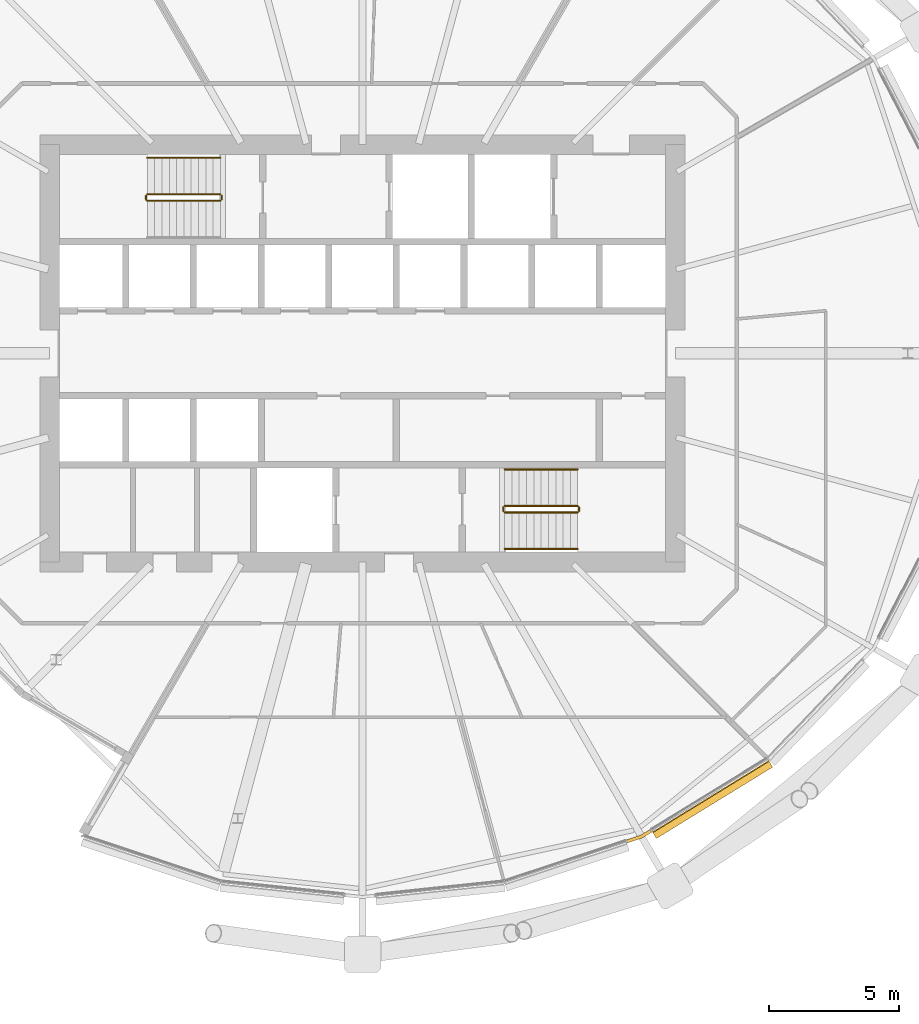
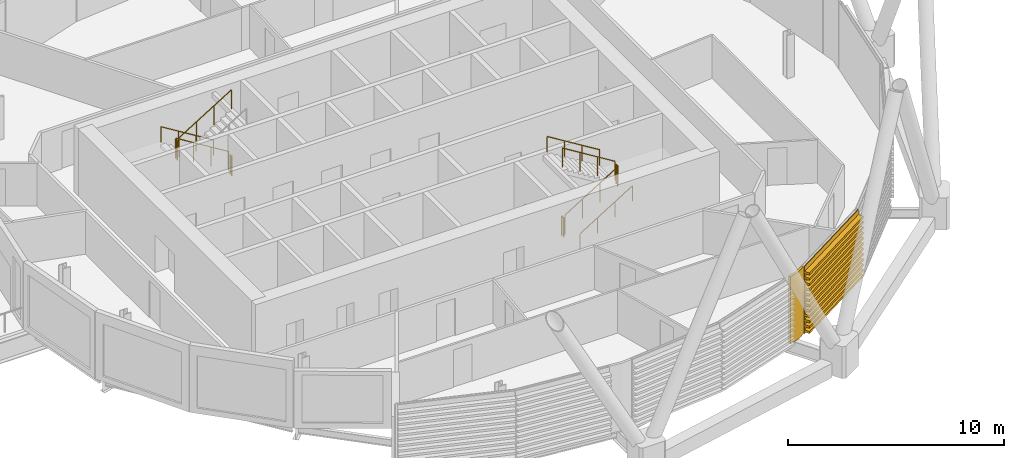
# One storey, part 33 of 38: 11 railings, 2 coverings.
"""IFC4 building model written with IfcOpenShell, lengths in metres."""

from ifc_helpers import new_model, si_unit, direction, frame, origin, origin_2d, place, context, subcontext, project, spatial, polyline, circle, outline, extrude, material, layer, layer_set, material_profile, profile_set, type_object, element, save


model = new_model("IFC4")

# Units and contexts
model_context = context("Model", 3, precision=1e-05, world=origin(), true_north=direction((0.0, 1.0)))
body_context = subcontext(model_context, "Body", "Model", "MODEL_VIEW")
ifc_project = project(units=[si_unit("LENGTHUNIT", "METRE"), si_unit("AREAUNIT", "SQUARE_METRE"), si_unit("VOLUMEUNIT", "CUBIC_METRE"), si_unit("PLANEANGLEUNIT", "RADIAN"), si_unit("MASSUNIT", "GRAM", prefix="KILO")], contexts=[model_context])

# Site, building, storey
site_placement = place(None, origin())
site = spatial("IfcSite", under=ifc_project, at=site_placement, CompositionType="ELEMENT")
building_placement = place(site_placement, origin())
building = spatial("IfcBuilding", under=site, at=building_placement, Name="Rimbun Link Towers", CompositionType="ELEMENT")
storey_placement = place(building_placement, frame((0.0, 0.0, 104.39990234375)))
storey = spatial("IfcBuildingStorey", under=building, at=storey_placement, Name="L25", CompositionType="ELEMENT", Elevation=104.39990234375)

# Covering
ifc_material_1 = material(Name="Terracotta", Category="masonry")
ifc_layer = layer(ifc_material_1, 0.1201171875)
ifc_layer_set = layer_set([ifc_layer], Name="LINK PIER terracotta cladding 120")
covering_type_1 = type_object("IfcCoveringType", Name="LINK PIER terracotta cladding 120", PredefinedType="CLADDING", material=ifc_layer_set)
covering_1_placement = place(storey_placement, origin())
element("IfcCovering", 1, at=covering_1_placement, inside=storey, type_object=covering_type_1, Name="LINK PIER cladding", PredefinedType="CLADDING", context=body_context, shape_type="SweptSolid", body=[
    extrude(outline(polyline([(-20.72412109375, -18.2578125), (-21.08203125, -18.4775390625), (-21.623046875, -18.65673828125), (-21.585205078125, -18.770751953125), (-21.031005859375, -18.5869140625), (-20.661376953125, -18.360107421875), (-20.72412109375, -18.2578125)])), origin(), (0.0, 0.0, 1.0), 3.800048828125),
])

# Railings
ifc_material_2 = material(Name="Stainless steel grade 316", Category="steel")
railing_type_1 = type_object("IfcRailingType", Name="Stair guard", PredefinedType="GUARDRAIL", material=ifc_material_2)
railing_1_placement = place(storey_placement, frame((-37.199951171875, 6.10009765625, 0.1728515625)))
element("IfcRailing", 2, at=railing_1_placement, inside=storey, type_object=railing_type_1, Name="L25 ST1 stair guard 1", PredefinedType="GUARDRAIL", context=body_context, shape_type="SweptSolid", body=[
    extrude(circle(Radius=0.02392578125, at=origin_2d()), frame((0.0, 0.0, 1.076171875), z_axis=(-0.851089632645, 0.0, 0.525020415988), x_axis=(0.0, -1.0, 0.0)), (0.0, 0.0, 1.0), 3.2900390625),
    extrude(circle(Radius=0.02099609375, at=origin_2d()), origin(), (0.0, 0.0, 1.0), 1.052001953125),
    extrude(circle(Radius=0.02099609375, at=origin_2d()), frame((-0.933349609375, 0.0, 0.57568359375)), (0.0, 0.0, 1.0), 1.052001953125),
    extrude(circle(Radius=0.02099609375, at=origin_2d()), frame((-1.86669921875, 0.0, 1.151611328125)), (0.0, 0.0, 1.0), 1.052001953125),
    extrude(circle(Radius=0.02099609375, at=origin_2d()), frame((-2.800048828125, 0.0, 1.727294921875)), (0.0, 0.0, 1.0), 1.052001953125),
])
railing_2_placement = place(storey_placement, frame((-40.050048828125, 6.050048828125, 1.900146484375)))
element("IfcRailing", 3, at=railing_2_placement, inside=storey, type_object=railing_type_1, Name="L25 ST1 stair guard 2", PredefinedType="GUARDRAIL", context=body_context, shape_type="SweptSolid", body=[
    extrude(circle(Radius=0.02392578125, at=origin_2d()), frame((0.0, 0.0, 1.076171875), z_axis=(0.0, -1.0, 0.0), x_axis=(1.0, 0.0, 0.0)), (0.0, 0.0, 1.0), 0.150146484375),
    extrude(circle(Radius=0.02099609375, at=origin_2d()), origin(), (0.0, 0.0, 1.0), 1.052001953125),
    extrude(circle(Radius=0.02099609375, at=origin_2d()), frame((0.0, -0.150146484375, 0.0)), (0.0, 0.0, 1.0), 1.052001953125),
])
railing_3_placement = place(storey_placement, frame((-40.0, 5.85009765625, 2.07275390625)))
element("IfcRailing", 4, at=railing_3_placement, inside=storey, type_object=railing_type_1, Name="L25 ST1 stair guard 3", PredefinedType="GUARDRAIL", context=body_context, shape_type="SweptSolid", body=[
    extrude(circle(Radius=0.02392578125, at=origin_2d()), frame((0.0, 0.0, 1.076171875), z_axis=(0.851089632645, 0.0, 0.525020415988), x_axis=(0.0, 1.0, 0.0)), (0.0, 0.0, 1.0), 3.2900390625),
    extrude(circle(Radius=0.02099609375, at=origin_2d()), origin(), (0.0, 0.0, 1.0), 1.052001953125),
    extrude(circle(Radius=0.02099609375, at=origin_2d()), frame((0.933349609375, 0.0, 0.57568359375)), (0.0, 0.0, 1.0), 1.052001953125),
    extrude(circle(Radius=0.02099609375, at=origin_2d()), frame((1.86669921875, 0.0, 1.151611328125)), (0.0, 0.0, 1.0), 1.052001953125),
    extrude(circle(Radius=0.02099609375, at=origin_2d()), frame((2.800048828125, 0.0, 1.727294921875)), (0.0, 0.0, 1.0), 1.052001953125),
])
railing_4_placement = place(storey_placement, frame((-37.14990234375, 6.050048828125, 0.0)))
element("IfcRailing", 5, at=railing_4_placement, inside=storey, type_object=railing_type_1, Name="L25 ST1 stair guard 4", PredefinedType="GUARDRAIL", context=body_context, shape_type="SweptSolid", body=[
    extrude(circle(Radius=0.02392578125, at=origin_2d()), frame((0.0, 0.0, 1.076171875), z_axis=(0.0, -1.0, 0.0), x_axis=(1.0, 0.0, 0.0)), (0.0, 0.0, 1.0), 0.150146484375),
    extrude(circle(Radius=0.02099609375, at=origin_2d()), origin(), (0.0, 0.0, 1.0), 1.052001953125),
    extrude(circle(Radius=0.02099609375, at=origin_2d()), frame((0.0, -0.150146484375, 0.0)), (0.0, 0.0, 1.0), 1.052001953125),
])
railing_5_placement = place(storey_placement, frame((-26.300048828125, -6.10009765625, 0.1728515625)))
element("IfcRailing", 6, at=railing_5_placement, inside=storey, type_object=railing_type_1, Name="L25 ST2 stair guard 1", PredefinedType="GUARDRAIL", context=body_context, shape_type="SweptSolid", body=[
    extrude(circle(Radius=0.02392578125, at=origin_2d()), frame((0.0, 0.0, 1.076171875), z_axis=(0.851089632645, 0.0, 0.525020415988), x_axis=(0.0, 1.0, 0.0)), (0.0, 0.0, 1.0), 3.2900390625),
    extrude(circle(Radius=0.02099609375, at=origin_2d()), origin(), (0.0, 0.0, 1.0), 1.052001953125),
    extrude(circle(Radius=0.02099609375, at=origin_2d()), frame((0.933349609375, 0.0, 0.57568359375)), (0.0, 0.0, 1.0), 1.052001953125),
    extrude(circle(Radius=0.02099609375, at=origin_2d()), frame((1.86669921875, 0.0, 1.151611328125)), (0.0, 0.0, 1.0), 1.052001953125),
    extrude(circle(Radius=0.02099609375, at=origin_2d()), frame((2.800048828125, 0.0, 1.727294921875)), (0.0, 0.0, 1.0), 1.052001953125),
])
railing_6_placement = place(storey_placement, frame((-23.449951171875, -6.050048828125, 1.900146484375)))
element("IfcRailing", 7, at=railing_6_placement, inside=storey, type_object=railing_type_1, Name="L25 ST2 stair guard 2", PredefinedType="GUARDRAIL", context=body_context, shape_type="SweptSolid", body=[
    extrude(circle(Radius=0.02392578125, at=origin_2d()), frame((0.0, 0.0, 1.076171875), z_axis=(0.0, 1.0, 0.0), x_axis=(-1.0, 0.0, 0.0)), (0.0, 0.0, 1.0), 0.150146484375),
    extrude(circle(Radius=0.02099609375, at=origin_2d()), origin(), (0.0, 0.0, 1.0), 1.052001953125),
    extrude(circle(Radius=0.02099609375, at=origin_2d()), frame((0.0, 0.150146484375, 0.0)), (0.0, 0.0, 1.0), 1.052001953125),
])
railing_7_placement = place(storey_placement, frame((-23.5, -5.85009765625, 2.07275390625)))
element("IfcRailing", 8, at=railing_7_placement, inside=storey, type_object=railing_type_1, Name="L25 ST2 stair guard 3", PredefinedType="GUARDRAIL", context=body_context, shape_type="SweptSolid", body=[
    extrude(circle(Radius=0.02392578125, at=origin_2d()), frame((0.0, 0.0, 1.076171875), z_axis=(-0.851089632645, 0.0, 0.525020415988), x_axis=(0.0, -1.0, 0.0)), (0.0, 0.0, 1.0), 3.2900390625),
    extrude(circle(Radius=0.02099609375, at=origin_2d()), origin(), (0.0, 0.0, 1.0), 1.052001953125),
    extrude(circle(Radius=0.02099609375, at=origin_2d()), frame((-0.933349609375, 0.0, 0.57568359375)), (0.0, 0.0, 1.0), 1.052001953125),
    extrude(circle(Radius=0.02099609375, at=origin_2d()), frame((-1.86669921875, 0.0, 1.151611328125)), (0.0, 0.0, 1.0), 1.052001953125),
    extrude(circle(Radius=0.02099609375, at=origin_2d()), frame((-2.800048828125, 0.0, 1.727294921875)), (0.0, 0.0, 1.0), 1.052001953125),
])
railing_8_placement = place(storey_placement, frame((-26.35009765625, -6.050048828125, 0.0)))
element("IfcRailing", 9, at=railing_8_placement, inside=storey, type_object=railing_type_1, Name="L25 ST2 stair guard 4", PredefinedType="GUARDRAIL", context=body_context, shape_type="SweptSolid", body=[
    extrude(circle(Radius=0.02392578125, at=origin_2d()), frame((0.0, 0.0, 1.076171875), z_axis=(0.0, 1.0, 0.0), x_axis=(-1.0, 0.0, 0.0)), (0.0, 0.0, 1.0), 0.150146484375),
    extrude(circle(Radius=0.02099609375, at=origin_2d()), origin(), (0.0, 0.0, 1.0), 1.052001953125),
    extrude(circle(Radius=0.02099609375, at=origin_2d()), frame((0.0, 0.150146484375, 0.0)), (0.0, 0.0, 1.0), 1.052001953125),
])
ifc_material_3 = material(Name="Stainless steel grade 316", Category="steel")
railing_type_2 = type_object("IfcRailingType", Name="Stair handrail", PredefinedType="HANDRAIL", material=ifc_material_3)
railing_9_placement = place(storey_placement, frame((-37.199951171875, 7.5, 0.1728515625)))
element("IfcRailing", 10, at=railing_9_placement, inside=storey, type_object=railing_type_2, Name="L25 ST1 stair handrail 1", PredefinedType="HANDRAIL", context=body_context, shape_type="SweptSolid", body=[
    extrude(circle(Radius=0.02392578125, at=origin_2d()), frame((0.0, 0.0, 0.8759765625), z_axis=(-0.851089632645, 0.0, 0.525020415988), x_axis=(0.0, -1.0, 0.0)), (0.0, 0.0, 1.0), 3.2900390625),
    extrude(circle(Radius=0.02099609375, at=origin_2d()), origin(), (0.0, 0.0, 1.0), 0.851806640625),
    extrude(circle(Radius=0.02099609375, at=origin_2d()), frame((-0.933349609375, 0.0, 0.57568359375)), (0.0, 0.0, 1.0), 0.851806640625),
    extrude(circle(Radius=0.02099609375, at=origin_2d()), frame((-1.86669921875, 0.0, 1.151611328125)), (0.0, 0.0, 1.0), 0.851806640625),
    extrude(circle(Radius=0.02099609375, at=origin_2d()), frame((-2.800048828125, 0.0, 1.727294921875)), (0.0, 0.0, 1.0), 0.851806640625),
])
railing_10_placement = place(storey_placement, frame((-26.300048828125, -7.5, 0.1728515625)))
element("IfcRailing", 11, at=railing_10_placement, inside=storey, type_object=railing_type_2, Name="L25 ST2 stair handrail 1", PredefinedType="HANDRAIL", context=body_context, shape_type="SweptSolid", body=[
    extrude(circle(Radius=0.02392578125, at=origin_2d()), frame((0.0, 0.0, 0.8759765625), z_axis=(0.851089632645, 0.0, 0.525020415988), x_axis=(0.0, 1.0, 0.0)), (0.0, 0.0, 1.0), 3.2900390625),
    extrude(circle(Radius=0.02099609375, at=origin_2d()), origin(), (0.0, 0.0, 1.0), 0.851806640625),
    extrude(circle(Radius=0.02099609375, at=origin_2d()), frame((0.933349609375, 0.0, 0.57568359375)), (0.0, 0.0, 1.0), 0.851806640625),
    extrude(circle(Radius=0.02099609375, at=origin_2d()), frame((1.86669921875, 0.0, 1.151611328125)), (0.0, 0.0, 1.0), 0.851806640625),
    extrude(circle(Radius=0.02099609375, at=origin_2d()), frame((2.800048828125, 0.0, 1.727294921875)), (0.0, 0.0, 1.0), 0.851806640625),
])
railing_11_placement = place(storey_placement, frame((-23.5, -4.449951171875, 2.07275390625)))
element("IfcRailing", 12, at=railing_11_placement, inside=storey, type_object=railing_type_2, Name="L25 ST2 stair handrail 2", PredefinedType="HANDRAIL", context=body_context, shape_type="SweptSolid", body=[
    extrude(circle(Radius=0.02392578125, at=origin_2d()), frame((0.0, 0.0, 0.8759765625), z_axis=(-0.851089632645, 0.0, 0.525020415988), x_axis=(0.0, -1.0, 0.0)), (0.0, 0.0, 1.0), 3.2900390625),
    extrude(circle(Radius=0.02099609375, at=origin_2d()), origin(), (0.0, 0.0, 1.0), 0.851806640625),
    extrude(circle(Radius=0.02099609375, at=origin_2d()), frame((-0.933349609375, 0.0, 0.57568359375)), (0.0, 0.0, 1.0), 0.851806640625),
    extrude(circle(Radius=0.02099609375, at=origin_2d()), frame((-1.86669921875, 0.0, 1.151611328125)), (0.0, 0.0, 1.0), 0.851806640625),
    extrude(circle(Radius=0.02099609375, at=origin_2d()), frame((-2.800048828125, 0.0, 1.727294921875)), (0.0, 0.0, 1.0), 0.851806640625),
])

# Covering
ifc_material_4 = material(Name="Terracotta", Category="masonry")
ifc_material_profile = material_profile(ifc_material_4, outline(polyline([(0.123046875, 0.0), (0.1630859375, 0.0), (0.1630859375, 0.10009765625), (0.423095703125, 0.10009765625), (0.423095703125, 0.219970703125), (0.1630859375, 0.219970703125), (0.1630859375, 0.39990234375), (0.423095703125, 0.39990234375), (0.423095703125, 0.52001953125), (0.1630859375, 0.52001953125), (0.1630859375, 0.699951171875), (0.423095703125, 0.699951171875), (0.423095703125, 0.820068359375), (0.1630859375, 0.820068359375), (0.1630859375, 1.0), (0.423095703125, 1.0), (0.423095703125, 1.1201171875), (0.1630859375, 1.1201171875), (0.1630859375, 1.300048828125), (0.423095703125, 1.300048828125), (0.423095703125, 1.419921875), (0.1630859375, 1.419921875), (0.1630859375, 1.60009765625), (0.423095703125, 1.60009765625), (0.423095703125, 1.719970703125), (0.1630859375, 1.719970703125), (0.1630859375, 1.89990234375), (0.423095703125, 1.89990234375), (0.423095703125, 2.02001953125), (0.1630859375, 2.02001953125), (0.1630859375, 2.199951171875), (0.423095703125, 2.199951171875), (0.423095703125, 2.320068359375), (0.1630859375, 2.320068359375), (0.1630859375, 2.5), (0.423095703125, 2.5), (0.423095703125, 2.6201171875), (0.1630859375, 2.6201171875), (0.1630859375, 2.800048828125), (0.423095703125, 2.800048828125), (0.423095703125, 2.919921875), (0.1630859375, 2.919921875), (0.1630859375, 3.10009765625), (0.423095703125, 3.10009765625), (0.423095703125, 3.219970703125), (0.1630859375, 3.219970703125), (0.1630859375, 3.39990234375), (0.423095703125, 3.39990234375), (0.423095703125, 3.52001953125), (0.1630859375, 3.52001953125), (0.1630859375, 3.800048828125), (0.123046875, 3.800048828125), (0.123046875, 0.0)])), Name="BAGUETTE 120X300")
ifc_profile_set = profile_set([ifc_material_profile], Name="Terracotta")
covering_type_2 = type_object("IfcCoveringType", Name="TERRACOTTA BAGUETTE 120X300 H3800", PredefinedType="CLADDING", material=ifc_profile_set)
covering_2_placement = place(storey_placement, frame((-16.243408203125, -15.506591796875, 0.0), z_axis=(-0.852190222668, -0.523232094189, 0.0), x_axis=(0.523232094189, -0.852190222668, 0.0)))
element("IfcCovering", 13, at=covering_2_placement, inside=storey, type_object=covering_type_2, Name="TERRACOTTA BAGUETTE", PredefinedType="CLADDING", context=body_context, shape_type="SweptSolid", body=[
    extrude(outline(polyline([(0.123046875, 0.0), (0.1630859375, 0.0), (0.1630859375, 0.10009765625), (0.423095703125, 0.10009765625), (0.423095703125, 0.219970703125), (0.1630859375, 0.219970703125), (0.1630859375, 0.39990234375), (0.423095703125, 0.39990234375), (0.423095703125, 0.52001953125), (0.1630859375, 0.52001953125), (0.1630859375, 0.699951171875), (0.423095703125, 0.699951171875), (0.423095703125, 0.820068359375), (0.1630859375, 0.820068359375), (0.1630859375, 1.0), (0.423095703125, 1.0), (0.423095703125, 1.1201171875), (0.1630859375, 1.1201171875), (0.1630859375, 1.300048828125), (0.423095703125, 1.300048828125), (0.423095703125, 1.419921875), (0.1630859375, 1.419921875), (0.1630859375, 1.60009765625), (0.423095703125, 1.60009765625), (0.423095703125, 1.719970703125), (0.1630859375, 1.719970703125), (0.1630859375, 1.89990234375), (0.423095703125, 1.89990234375), (0.423095703125, 2.02001953125), (0.1630859375, 2.02001953125), (0.1630859375, 2.199951171875), (0.423095703125, 2.199951171875), (0.423095703125, 2.320068359375), (0.1630859375, 2.320068359375), (0.1630859375, 2.5), (0.423095703125, 2.5), (0.423095703125, 2.6201171875), (0.1630859375, 2.6201171875), (0.1630859375, 2.800048828125), (0.423095703125, 2.800048828125), (0.423095703125, 2.919921875), (0.1630859375, 2.919921875), (0.1630859375, 3.10009765625), (0.423095703125, 3.10009765625), (0.423095703125, 3.219970703125), (0.1630859375, 3.219970703125), (0.1630859375, 3.39990234375), (0.423095703125, 3.39990234375), (0.423095703125, 3.52001953125), (0.1630859375, 3.52001953125), (0.1630859375, 3.800048828125), (0.123046875, 3.800048828125), (0.123046875, 0.0)])), origin(), (0.0, 0.0, 1.0), 5.227783203125),
])

save(model, "model.ifc")
